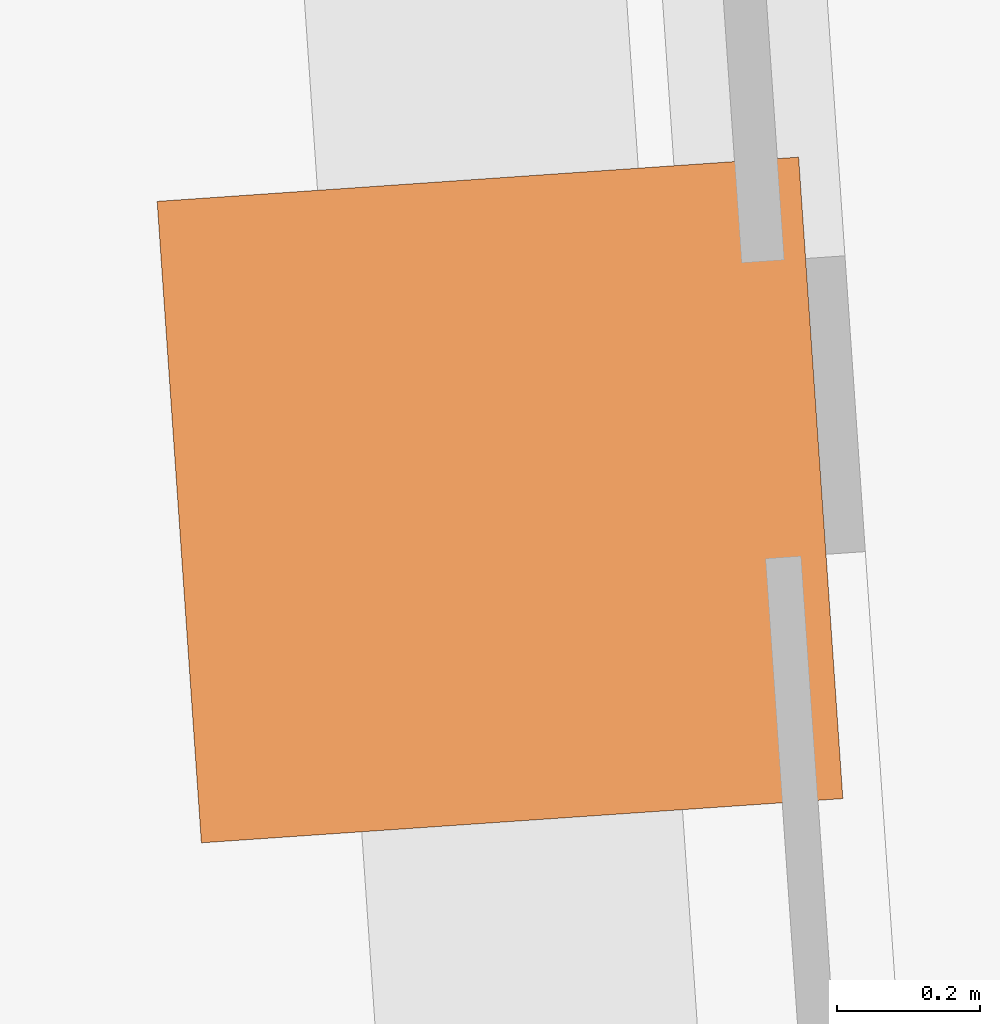
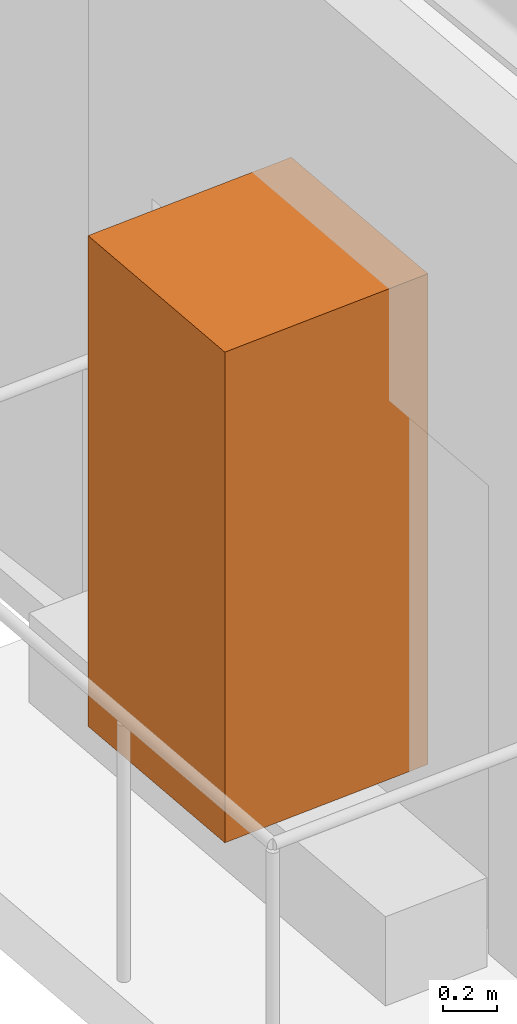
# One storey, part 11 of 11: 1 geographic element.
"""IFC4 building model written with IfcOpenShell, lengths in metres."""

from ifc_helpers import new_model, si_unit, direction, frame, origin, origin_2d, place, context, subcontext, project, spatial, rectangle, extrude, material, type_object, element, save


model = new_model("IFC4")

# Units and contexts
model_context = context("Model", 3, precision=1e-05, world=origin(), true_north=direction((0.0, 1.0)))
body_context = subcontext(model_context, "Body", "Model", "MODEL_VIEW")
ifc_project = project(units=[si_unit("LENGTHUNIT", "METRE"), si_unit("AREAUNIT", "SQUARE_METRE"), si_unit("VOLUMEUNIT", "CUBIC_METRE"), si_unit("PLANEANGLEUNIT", "RADIAN"), si_unit("MASSUNIT", "GRAM", prefix="KILO")], contexts=[model_context])

# Site, building, storey
site_placement = place(None, origin())
site = spatial("IfcSite", under=ifc_project, at=site_placement, CompositionType="ELEMENT")
building_placement = place(site_placement, origin())
building = spatial("IfcBuilding", under=site, at=building_placement, Name="Verdant Reach Tower", CompositionType="ELEMENT")
storey_placement = place(building_placement, frame((0.0, 0.0, 314.0)))
storey = spatial("IfcBuildingStorey", under=building, at=storey_placement, Name="L72", CompositionType="ELEMENT", Elevation=314.0)

# Geographic element
ifc_material = material(Name="Planting")
geographic_element_type = type_object("IfcGeographicElementType", Name="EN-TREE", PredefinedType="USERDEFINED", material=ifc_material)
geographic_element_placement = place(storey_placement, frame((-21.432373046875, 58.304443359375, 0.39990234375), z_axis=(0.0, 0.0, 1.0), x_axis=(0.068802091615, -0.997630328423, 0.0)))
element("IfcGeographicElement", 1, at=geographic_element_placement, inside=storey, type_object=geographic_element_type, Name="Balcony tree, Queen palm (Syagrus romanzoffiana), L72 1", ObjectType="TREE", PredefinedType="USERDEFINED", context=body_context, shape_type="SweptSolid", body=[
    extrude(rectangle(XDim=0.89990234375, YDim=0.89990234375, at=origin_2d()), origin(), (0.0, 0.0, 1.0), 2.199951171875),
])

save(model, "model.ifc")
